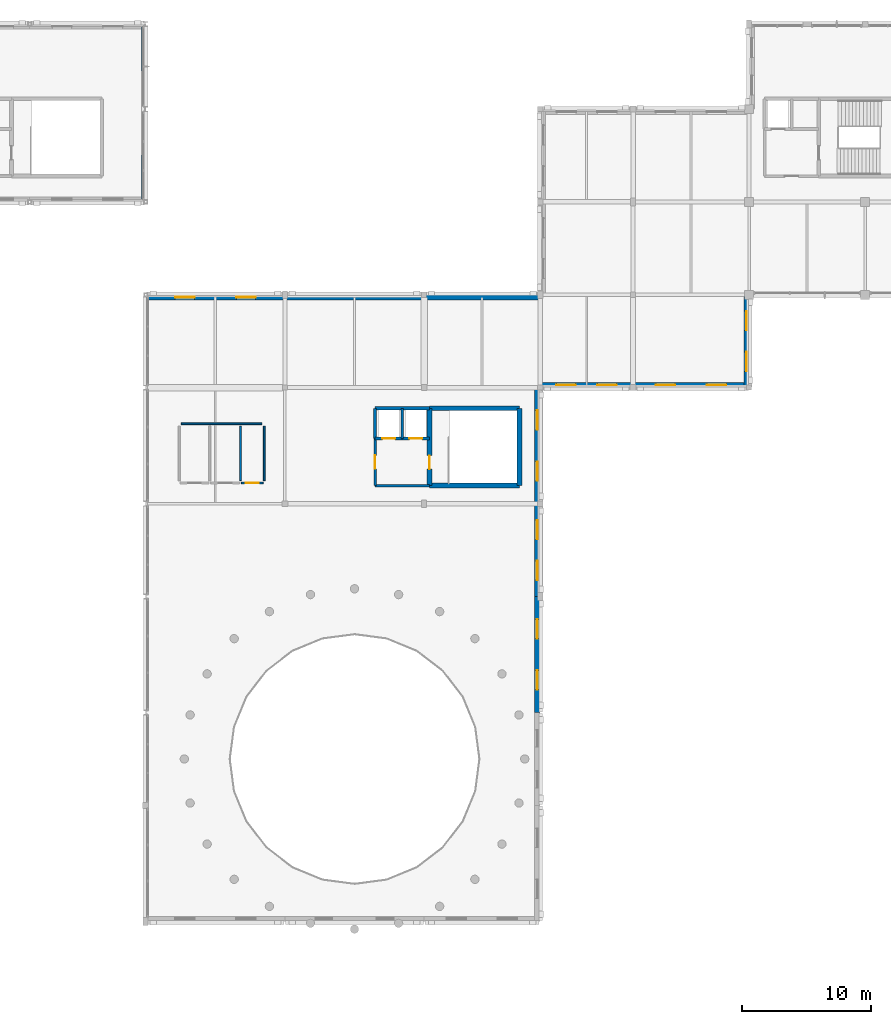
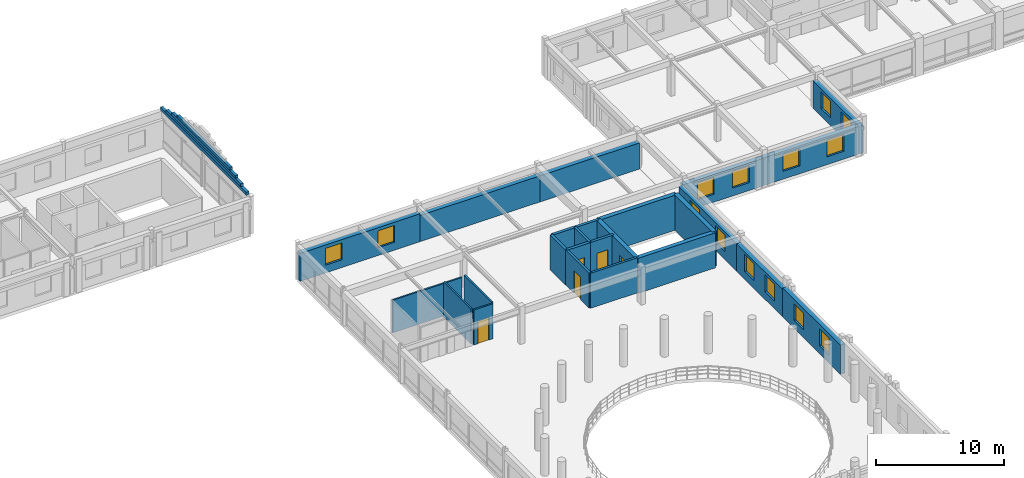
# One storey, part 42 of 52: 28 walls, 14 windows, 5 doors, 19 openings.
"""IFC4 building model written with IfcOpenShell, lengths in metres."""

from ifc_helpers import new_model, si_unit, direction, frame, frame_2d, origin, place, context, subcontext, project, spatial, rectangle, extrude, material, layer, layer_set, type_object, element, fill, save


model = new_model("IFC4")

# Units and contexts
model_context = context("Model", 3, precision=1e-05, world=origin(), true_north=direction((0.0, 1.0)))
body_context = subcontext(model_context, "Body", "Model", "MODEL_VIEW")
ifc_project = project(units=[si_unit("LENGTHUNIT", "METRE"), si_unit("AREAUNIT", "SQUARE_METRE"), si_unit("VOLUMEUNIT", "CUBIC_METRE"), si_unit("PLANEANGLEUNIT", "RADIAN"), si_unit("MASSUNIT", "GRAM", prefix="KILO")], contexts=[model_context])

# Site, building, storey
site_placement = place(None, origin())
site = spatial("IfcSite", under=ifc_project, at=site_placement, CompositionType="ELEMENT")
building_placement = place(site_placement, origin())
building = spatial("IfcBuilding", under=site, at=building_placement, Name="Clarverna Civic Hall", CompositionType="ELEMENT")
storey_placement = place(building_placement, frame((0.0, 0.0, 16.800048828125)))
storey = spatial("IfcBuildingStorey", under=building, at=storey_placement, Name="L04", CompositionType="ELEMENT", Elevation=16.800048828125)

# Wall, openings, windows
ifc_material_1 = material(Name="Montjuic Limestone Ashlar Cladding", Category="masonry")
ifc_layer_1 = layer(ifc_material_1, 0.39990234375)
ifc_layer_set_1 = layer_set([ifc_layer_1], Name="Montjuic Limestone Ashlar Cladding")
wall_type_1 = type_object("IfcWallType", Name="EW-02", PredefinedType="SOLIDWALL", material=ifc_layer_set_1)
wall_1_placement = place(storey_placement, frame((66.625, 94.800048828125, 0.0), z_axis=(0.0, 0.0, 1.0), x_axis=(1.0, 0.0, 0.0)))
wall_1 = element("IfcWall", 1, at=wall_1_placement, inside=storey, type_object=wall_type_1, Name="EW-02-215", PredefinedType="SOLIDWALL", context=body_context, shape_type="SweptSolid", body=[
    extrude(rectangle(XDim=10.77490234375, YDim=0.39990234375, at=frame_2d((5.387451171875, 0.0))), origin(), (0.0, 0.0, 1.0), 2.659912109375),
])
opening_1_placement = place(wall_1_placement, frame((2.26708984375, 0.0, 0.75)))
opening_1 = element("IfcOpeningElement", 2, at=opening_1_placement, cuts=wall_1, Name="Opening WN-14", PredefinedType="OPENING", context=body_context, shape_type="SweptSolid", body=[
    extrude(rectangle(XDim=1.5, YDim=1.60009765625, at=frame_2d((0.75, 0.800048828125))), frame((0.0, 0.2099609375, 0.0), z_axis=(0.0, -1.0, 0.0), x_axis=(1.0, 0.0, 0.0)), (0.0, 0.0, 1.0), 0.419921875),
])
opening_2_placement = place(wall_1_placement, frame((7.008056640625, 0.0, 0.75)))
opening_2 = element("IfcOpeningElement", 3, at=opening_2_placement, cuts=wall_1, Name="Opening WN-14", PredefinedType="OPENING", context=body_context, shape_type="SweptSolid", body=[
    extrude(rectangle(XDim=1.5, YDim=1.60009765625, at=frame_2d((0.75, 0.800048828125))), frame((0.0, 0.2099609375, 0.0), z_axis=(0.0, -1.0, 0.0), x_axis=(1.0, 0.0, 0.0)), (0.0, 0.0, 1.0), 0.419921875),
])
ifc_material_2 = material(Name="Solar-Control Argon Low-E Double Glazing", Category="glass")
window_type = type_object("IfcWindowType", Name="WN-14", PartitioningType="DOUBLE_PANEL_HORIZONTAL", PredefinedType="WINDOW", material=ifc_material_2)
window_1_placement = place(opening_1_placement, origin())
window_1 = element("IfcWindow", 4, at=window_1_placement, inside=storey, type_object=window_type, Name="WN-14-226", OverallHeight=1.60009765625, OverallWidth=1.5, PartitioningType="DOUBLE_PANEL_HORIZONTAL", PredefinedType="WINDOW", context=body_context, shape_type="SweptSolid", body=[
    extrude(rectangle(XDim=1.5, YDim=1.60009765625, at=frame_2d((0.75, 0.800048828125))), frame((0.0, 0.030029296875, 0.0), z_axis=(0.0, -1.0, 0.0), x_axis=(1.0, 0.0, 0.0)), (0.0, 0.0, 1.0), 0.06005859375),
])
fill(opening_1, window_1)
window_2_placement = place(opening_2_placement, origin())
window_2 = element("IfcWindow", 5, at=window_2_placement, inside=storey, type_object=window_type, Name="WN-14-227", OverallHeight=1.60009765625, OverallWidth=1.5, PartitioningType="DOUBLE_PANEL_HORIZONTAL", PredefinedType="WINDOW", context=body_context, shape_type="SweptSolid", body=[
    extrude(rectangle(XDim=1.5, YDim=1.60009765625, at=frame_2d((0.75, 0.800048828125))), frame((0.0, 0.030029296875, 0.0), z_axis=(0.0, -1.0, 0.0), x_axis=(1.0, 0.0, 0.0)), (0.0, 0.0, 1.0), 0.06005859375),
])
fill(opening_2, window_2)

# Walls
wall_2_placement = place(storey_placement, frame((77.39990234375, 94.800048828125, 0.0), z_axis=(0.0, 0.0, 1.0), x_axis=(1.0, 0.0, 0.0)))
element("IfcWall", 6, at=wall_2_placement, inside=storey, type_object=wall_type_1, Name="EW-02-216", PredefinedType="SOLIDWALL", context=body_context, shape_type="SweptSolid", body=[
    extrude(rectangle(XDim=10.800048828125, YDim=0.39990234375, at=frame_2d((5.39990234375, 0.0))), origin(), (0.0, 0.0, 1.0), 2.489990234375),
])
wall_3_placement = place(storey_placement, frame((88.199951171875, 94.800048828125, 0.0), z_axis=(0.0, 0.0, 1.0), x_axis=(1.0, 0.0, 0.0)))
element("IfcWall", 7, at=wall_3_placement, inside=storey, type_object=wall_type_1, Name="EW-02-217", PredefinedType="SOLIDWALL", context=body_context, shape_type="SweptSolid", body=[
    extrude(rectangle(XDim=9.025146484375, YDim=0.39990234375, at=frame_2d((4.5126953125, 0.0))), origin(), (0.0, 0.0, 1.0), 2.489990234375),
])

# Wall, openings, windows
wall_4_placement = place(storey_placement, frame((113.199951171875, 95.0, 0.0), z_axis=(0.0, 0.0, 1.0), x_axis=(0.0, -1.0, 0.0)))
wall_4 = element("IfcWall", 8, at=wall_4_placement, inside=storey, type_object=wall_type_1, Name="EW-02-227", PredefinedType="SOLIDWALL", context=body_context, shape_type="SweptSolid", body=[
    extrude(rectangle(XDim=7.199951171875, YDim=0.39990234375, at=frame_2d((3.60009765625, 0.0))), origin(), (0.0, 0.0, 1.0), 2.639892578125),
])
opening_3_placement = place(wall_4_placement, frame((1.26611328125, 0.0, 0.75)))
opening_3 = element("IfcOpeningElement", 9, at=opening_3_placement, cuts=wall_4, Name="Opening WN-14", PredefinedType="OPENING", context=body_context, shape_type="SweptSolid", body=[
    extrude(rectangle(XDim=1.5, YDim=1.60009765625, at=frame_2d((0.75, 0.800048828125))), frame((0.0, 0.2099609375, 0.0), z_axis=(0.0, -1.0, 0.0), x_axis=(1.0, 0.0, 0.0)), (0.0, 0.0, 1.0), 0.419921875),
])
opening_4_placement = place(wall_4_placement, frame((4.43408203125, 0.0, 0.75)))
opening_4 = element("IfcOpeningElement", 10, at=opening_4_placement, cuts=wall_4, Name="Opening WN-14", PredefinedType="OPENING", context=body_context, shape_type="SweptSolid", body=[
    extrude(rectangle(XDim=1.5, YDim=1.60009765625, at=frame_2d((0.75, 0.800048828125))), frame((0.0, 0.2099609375, 0.0), z_axis=(0.0, -1.0, 0.0), x_axis=(1.0, 0.0, 0.0)), (0.0, 0.0, 1.0), 0.419921875),
])
window_3_placement = place(opening_3_placement, origin())
window_3 = element("IfcWindow", 11, at=window_3_placement, inside=storey, type_object=window_type, Name="WN-14-246", OverallHeight=1.60009765625, OverallWidth=1.5, PartitioningType="DOUBLE_PANEL_HORIZONTAL", PredefinedType="WINDOW", context=body_context, shape_type="SweptSolid", body=[
    extrude(rectangle(XDim=1.5, YDim=1.60009765625, at=frame_2d((0.75, 0.800048828125))), frame((0.0, 0.030029296875, 0.0), z_axis=(0.0, -1.0, 0.0), x_axis=(1.0, 0.0, 0.0)), (0.0, 0.0, 1.0), 0.06005859375),
])
fill(opening_3, window_3)
window_4_placement = place(opening_4_placement, origin())
window_4 = element("IfcWindow", 12, at=window_4_placement, inside=storey, type_object=window_type, Name="WN-14-247", OverallHeight=1.60009765625, OverallWidth=1.5, PartitioningType="DOUBLE_PANEL_HORIZONTAL", PredefinedType="WINDOW", context=body_context, shape_type="SweptSolid", body=[
    extrude(rectangle(XDim=1.5, YDim=1.60009765625, at=frame_2d((0.75, 0.800048828125))), frame((0.0, 0.030029296875, 0.0), z_axis=(0.0, -1.0, 0.0), x_axis=(1.0, 0.0, 0.0)), (0.0, 0.0, 1.0), 0.06005859375),
])
fill(opening_4, window_4)

wall_5_placement = place(storey_placement, frame((113.39990234375, 88.0, 0.0), z_axis=(0.0, 0.0, 1.0), x_axis=(-1.0, 0.0, 0.0)))
wall_5 = element("IfcWall", 13, at=wall_5_placement, inside=storey, type_object=wall_type_1, Name="EW-02-228", PredefinedType="SOLIDWALL", context=body_context, shape_type="SweptSolid", body=[
    extrude(rectangle(XDim=9.0, YDim=0.39990234375, at=frame_2d((4.5, 0.0))), origin(), (0.0, 0.0, 1.0), 2.639892578125),
])
opening_5_placement = place(wall_5_placement, frame((1.77001953125, 0.0, 0.75)))
opening_5 = element("IfcOpeningElement", 14, at=opening_5_placement, cuts=wall_5, Name="Opening WN-14", PredefinedType="OPENING", context=body_context, shape_type="SweptSolid", body=[
    extrude(rectangle(XDim=1.5, YDim=1.60009765625, at=frame_2d((0.75, 0.800048828125))), frame((0.0, 0.2099609375, 0.0), z_axis=(0.0, -1.0, 0.0), x_axis=(1.0, 0.0, 0.0)), (0.0, 0.0, 1.0), 0.419921875),
])
opening_6_placement = place(wall_5_placement, frame((5.72998046875, 0.0, 0.75)))
opening_6 = element("IfcOpeningElement", 15, at=opening_6_placement, cuts=wall_5, Name="Opening WN-14", PredefinedType="OPENING", context=body_context, shape_type="SweptSolid", body=[
    extrude(rectangle(XDim=1.5, YDim=1.60009765625, at=frame_2d((0.75, 0.800048828125))), frame((0.0, 0.2099609375, 0.0), z_axis=(0.0, -1.0, 0.0), x_axis=(1.0, 0.0, 0.0)), (0.0, 0.0, 1.0), 0.419921875),
])
window_5_placement = place(opening_5_placement, origin())
window_5 = element("IfcWindow", 16, at=window_5_placement, inside=storey, type_object=window_type, Name="WN-14-248", OverallHeight=1.60009765625, OverallWidth=1.5, PartitioningType="DOUBLE_PANEL_HORIZONTAL", PredefinedType="WINDOW", context=body_context, shape_type="SweptSolid", body=[
    extrude(rectangle(XDim=1.5, YDim=1.60009765625, at=frame_2d((0.75, 0.800048828125))), frame((0.0, 0.030029296875, 0.0), z_axis=(0.0, -1.0, 0.0), x_axis=(1.0, 0.0, 0.0)), (0.0, 0.0, 1.0), 0.06005859375),
])
fill(opening_5, window_5)
window_6_placement = place(opening_6_placement, origin())
window_6 = element("IfcWindow", 17, at=window_6_placement, inside=storey, type_object=window_type, Name="WN-14-249", OverallHeight=1.60009765625, OverallWidth=1.5, PartitioningType="DOUBLE_PANEL_HORIZONTAL", PredefinedType="WINDOW", context=body_context, shape_type="SweptSolid", body=[
    extrude(rectangle(XDim=1.5, YDim=1.60009765625, at=frame_2d((0.75, 0.800048828125))), frame((0.0, 0.030029296875, 0.0), z_axis=(0.0, -1.0, 0.0), x_axis=(1.0, 0.0, 0.0)), (0.0, 0.0, 1.0), 0.06005859375),
])
fill(opening_6, window_6)

wall_6_placement = place(storey_placement, frame((104.39990234375, 88.0, 0.0), z_axis=(0.0, 0.0, 1.0), x_axis=(-1.0, 0.0, 0.0)))
wall_6 = element("IfcWall", 18, at=wall_6_placement, inside=storey, type_object=wall_type_1, Name="EW-02-229", PredefinedType="SOLIDWALL", context=body_context, shape_type="SweptSolid", body=[
    extrude(rectangle(XDim=7.224853515625, YDim=0.39990234375, at=frame_2d((3.6123046875, 0.0))), origin(), (0.0, 0.0, 1.0), 2.619873046875),
])
opening_7_placement = place(wall_6_placement, frame((1.27294921875, 0.0, 0.75)))
opening_7 = element("IfcOpeningElement", 19, at=opening_7_placement, cuts=wall_6, Name="Opening WN-14", PredefinedType="OPENING", context=body_context, shape_type="SweptSolid", body=[
    extrude(rectangle(XDim=1.5, YDim=1.60009765625, at=frame_2d((0.75, 0.800048828125))), frame((0.0, 0.2099609375, 0.0), z_axis=(0.0, -1.0, 0.0), x_axis=(1.0, 0.0, 0.0)), (0.0, 0.0, 1.0), 0.419921875),
])
opening_8_placement = place(wall_6_placement, frame((4.451904296875, 0.0, 0.75)))
opening_8 = element("IfcOpeningElement", 20, at=opening_8_placement, cuts=wall_6, Name="Opening WN-14", PredefinedType="OPENING", context=body_context, shape_type="SweptSolid", body=[
    extrude(rectangle(XDim=1.5, YDim=1.60009765625, at=frame_2d((0.75, 0.800048828125))), frame((0.0, 0.2099609375, 0.0), z_axis=(0.0, -1.0, 0.0), x_axis=(1.0, 0.0, 0.0)), (0.0, 0.0, 1.0), 0.419921875),
])
window_7_placement = place(opening_7_placement, origin())
window_7 = element("IfcWindow", 21, at=window_7_placement, inside=storey, type_object=window_type, Name="WN-14-250", OverallHeight=1.60009765625, OverallWidth=1.5, PartitioningType="DOUBLE_PANEL_HORIZONTAL", PredefinedType="WINDOW", context=body_context, shape_type="SweptSolid", body=[
    extrude(rectangle(XDim=1.5, YDim=1.60009765625, at=frame_2d((0.75, 0.800048828125))), frame((0.0, 0.030029296875, 0.0), z_axis=(0.0, -1.0, 0.0), x_axis=(1.0, 0.0, 0.0)), (0.0, 0.0, 1.0), 0.06005859375),
])
fill(opening_7, window_7)
window_8_placement = place(opening_8_placement, origin())
window_8 = element("IfcWindow", 22, at=window_8_placement, inside=storey, type_object=window_type, Name="WN-14-251", OverallHeight=1.60009765625, OverallWidth=1.5, PartitioningType="DOUBLE_PANEL_HORIZONTAL", PredefinedType="WINDOW", context=body_context, shape_type="SweptSolid", body=[
    extrude(rectangle(XDim=1.5, YDim=1.60009765625, at=frame_2d((0.75, 0.800048828125))), frame((0.0, 0.030029296875, 0.0), z_axis=(0.0, -1.0, 0.0), x_axis=(1.0, 0.0, 0.0)), (0.0, 0.0, 1.0), 0.06005859375),
])
fill(opening_8, window_8)

wall_7_placement = place(storey_placement, frame((96.97509765625, 87.800048828125, 0.0), z_axis=(0.0, 0.0, 1.0), x_axis=(0.0, -1.0, 0.0)))
wall_7 = element("IfcWall", 23, at=wall_7_placement, inside=storey, type_object=wall_type_1, Name="EW-02-230", PredefinedType="SOLIDWALL", context=body_context, shape_type="SweptSolid", body=[
    extrude(rectangle(XDim=9.0, YDim=0.39990234375, at=frame_2d((4.5, 0.0))), origin(), (0.0, 0.0, 1.0), 2.619873046875),
])
opening_9_placement = place(wall_7_placement, frame((1.77001953125, 0.0, 0.75)))
opening_9 = element("IfcOpeningElement", 24, at=opening_9_placement, cuts=wall_7, Name="Opening WN-14", PredefinedType="OPENING", context=body_context, shape_type="SweptSolid", body=[
    extrude(rectangle(XDim=1.5, YDim=1.60009765625, at=frame_2d((0.75, 0.800048828125))), frame((0.0, 0.2099609375, 0.0), z_axis=(0.0, -1.0, 0.0), x_axis=(1.0, 0.0, 0.0)), (0.0, 0.0, 1.0), 0.419921875),
])
opening_10_placement = place(wall_7_placement, frame((5.72998046875, 0.0, 0.75)))
opening_10 = element("IfcOpeningElement", 25, at=opening_10_placement, cuts=wall_7, Name="Opening WN-14", PredefinedType="OPENING", context=body_context, shape_type="SweptSolid", body=[
    extrude(rectangle(XDim=1.5, YDim=1.60009765625, at=frame_2d((0.75, 0.800048828125))), frame((0.0, 0.2099609375, 0.0), z_axis=(0.0, -1.0, 0.0), x_axis=(1.0, 0.0, 0.0)), (0.0, 0.0, 1.0), 0.419921875),
])
window_9_placement = place(opening_9_placement, origin())
window_9 = element("IfcWindow", 26, at=window_9_placement, inside=storey, type_object=window_type, Name="WN-14-252", OverallHeight=1.60009765625, OverallWidth=1.5, PartitioningType="DOUBLE_PANEL_HORIZONTAL", PredefinedType="WINDOW", context=body_context, shape_type="SweptSolid", body=[
    extrude(rectangle(XDim=1.5, YDim=1.60009765625, at=frame_2d((0.75, 0.800048828125))), frame((0.0, 0.030029296875, 0.0), z_axis=(0.0, -1.0, 0.0), x_axis=(1.0, 0.0, 0.0)), (0.0, 0.0, 1.0), 0.06005859375),
])
fill(opening_9, window_9)
window_10_placement = place(opening_10_placement, origin())
window_10 = element("IfcWindow", 27, at=window_10_placement, inside=storey, type_object=window_type, Name="WN-14-253", OverallHeight=1.60009765625, OverallWidth=1.5, PartitioningType="DOUBLE_PANEL_HORIZONTAL", PredefinedType="WINDOW", context=body_context, shape_type="SweptSolid", body=[
    extrude(rectangle(XDim=1.5, YDim=1.60009765625, at=frame_2d((0.75, 0.800048828125))), frame((0.0, 0.030029296875, 0.0), z_axis=(0.0, -1.0, 0.0), x_axis=(1.0, 0.0, 0.0)), (0.0, 0.0, 1.0), 0.06005859375),
])
fill(opening_10, window_10)

wall_8_placement = place(storey_placement, frame((96.97509765625, 78.800048828125, 0.0), z_axis=(0.0, 0.0, 1.0), x_axis=(0.0, -1.0, 0.0)))
wall_8 = element("IfcWall", 28, at=wall_8_placement, inside=storey, type_object=wall_type_1, Name="EW-02-231", PredefinedType="SOLIDWALL", context=body_context, shape_type="SweptSolid", body=[
    extrude(rectangle(XDim=7.199951171875, YDim=0.39990234375, at=frame_2d((3.60009765625, 0.0))), origin(), (0.0, 0.0, 1.0), 2.619873046875),
])
opening_11_placement = place(wall_8_placement, frame((1.26611328125, 0.0, 0.75)))
opening_11 = element("IfcOpeningElement", 29, at=opening_11_placement, cuts=wall_8, Name="Opening WN-14", PredefinedType="OPENING", context=body_context, shape_type="SweptSolid", body=[
    extrude(rectangle(XDim=1.5, YDim=1.60009765625, at=frame_2d((0.75, 0.800048828125))), frame((0.0, 0.2099609375, 0.0), z_axis=(0.0, -1.0, 0.0), x_axis=(1.0, 0.0, 0.0)), (0.0, 0.0, 1.0), 0.419921875),
])
opening_12_placement = place(wall_8_placement, frame((4.43408203125, 0.0, 0.75)))
opening_12 = element("IfcOpeningElement", 30, at=opening_12_placement, cuts=wall_8, Name="Opening WN-14", PredefinedType="OPENING", context=body_context, shape_type="SweptSolid", body=[
    extrude(rectangle(XDim=1.5, YDim=1.60009765625, at=frame_2d((0.75, 0.800048828125))), frame((0.0, 0.2099609375, 0.0), z_axis=(0.0, -1.0, 0.0), x_axis=(1.0, 0.0, 0.0)), (0.0, 0.0, 1.0), 0.419921875),
])
window_11_placement = place(opening_11_placement, origin())
window_11 = element("IfcWindow", 31, at=window_11_placement, inside=storey, type_object=window_type, Name="WN-14-254", OverallHeight=1.60009765625, OverallWidth=1.5, PartitioningType="DOUBLE_PANEL_HORIZONTAL", PredefinedType="WINDOW", context=body_context, shape_type="SweptSolid", body=[
    extrude(rectangle(XDim=1.5, YDim=1.60009765625, at=frame_2d((0.75, 0.800048828125))), frame((0.0, 0.030029296875, 0.0), z_axis=(0.0, -1.0, 0.0), x_axis=(1.0, 0.0, 0.0)), (0.0, 0.0, 1.0), 0.06005859375),
])
fill(opening_11, window_11)
window_12_placement = place(opening_12_placement, origin())
window_12 = element("IfcWindow", 32, at=window_12_placement, inside=storey, type_object=window_type, Name="WN-14-255", OverallHeight=1.60009765625, OverallWidth=1.5, PartitioningType="DOUBLE_PANEL_HORIZONTAL", PredefinedType="WINDOW", context=body_context, shape_type="SweptSolid", body=[
    extrude(rectangle(XDim=1.5, YDim=1.60009765625, at=frame_2d((0.75, 0.800048828125))), frame((0.0, 0.030029296875, 0.0), z_axis=(0.0, -1.0, 0.0), x_axis=(1.0, 0.0, 0.0)), (0.0, 0.0, 1.0), 0.06005859375),
])
fill(opening_12, window_12)

wall_9_placement = place(storey_placement, frame((96.97509765625, 71.60009765625, 0.0), z_axis=(0.0, 0.0, 1.0), x_axis=(0.0, -1.0, 0.0)))
wall_9 = element("IfcWall", 33, at=wall_9_placement, inside=storey, type_object=wall_type_1, Name="EW-02-232", PredefinedType="SOLIDWALL", context=body_context, shape_type="SweptSolid", body=[
    extrude(rectangle(XDim=9.0, YDim=0.39990234375, at=frame_2d((4.5, 0.0))), origin(), (0.0, 0.0, 1.0), 2.780029296875),
])
opening_13_placement = place(wall_9_placement, frame((1.77001953125, 0.0, 0.75)))
opening_13 = element("IfcOpeningElement", 34, at=opening_13_placement, cuts=wall_9, Name="Opening WN-14", PredefinedType="OPENING", context=body_context, shape_type="SweptSolid", body=[
    extrude(rectangle(XDim=1.5, YDim=1.60009765625, at=frame_2d((0.75, 0.800048828125))), frame((0.0, 0.2099609375, 0.0), z_axis=(0.0, -1.0, 0.0), x_axis=(1.0, 0.0, 0.0)), (0.0, 0.0, 1.0), 0.419921875),
])
opening_14_placement = place(wall_9_placement, frame((5.72998046875, 0.0, 0.75)))
opening_14 = element("IfcOpeningElement", 35, at=opening_14_placement, cuts=wall_9, Name="Opening WN-14", PredefinedType="OPENING", context=body_context, shape_type="SweptSolid", body=[
    extrude(rectangle(XDim=1.5, YDim=1.60009765625, at=frame_2d((0.75, 0.800048828125))), frame((0.0, 0.2099609375, 0.0), z_axis=(0.0, -1.0, 0.0), x_axis=(1.0, 0.0, 0.0)), (0.0, 0.0, 1.0), 0.419921875),
])
window_13_placement = place(opening_13_placement, origin())
window_13 = element("IfcWindow", 36, at=window_13_placement, inside=storey, type_object=window_type, Name="WN-14-256", OverallHeight=1.60009765625, OverallWidth=1.5, PartitioningType="DOUBLE_PANEL_HORIZONTAL", PredefinedType="WINDOW", context=body_context, shape_type="SweptSolid", body=[
    extrude(rectangle(XDim=1.5, YDim=1.60009765625, at=frame_2d((0.75, 0.800048828125))), frame((0.0, 0.030029296875, 0.0), z_axis=(0.0, -1.0, 0.0), x_axis=(1.0, 0.0, 0.0)), (0.0, 0.0, 1.0), 0.06005859375),
])
fill(opening_13, window_13)
window_14_placement = place(opening_14_placement, origin())
window_14 = element("IfcWindow", 37, at=window_14_placement, inside=storey, type_object=window_type, Name="WN-14-257", OverallHeight=1.60009765625, OverallWidth=1.5, PartitioningType="DOUBLE_PANEL_HORIZONTAL", PredefinedType="WINDOW", context=body_context, shape_type="SweptSolid", body=[
    extrude(rectangle(XDim=1.5, YDim=1.60009765625, at=frame_2d((0.75, 0.800048828125))), frame((0.0, 0.030029296875, 0.0), z_axis=(0.0, -1.0, 0.0), x_axis=(1.0, 0.0, 0.0)), (0.0, 0.0, 1.0), 0.06005859375),
])
fill(opening_14, window_14)

# Walls
ifc_material_3 = material(Name="Precast concrete C40/50", Category="concrete")
ifc_layer_2 = layer(ifc_material_3, 0.239990234375)
ifc_layer_set_2 = layer_set([ifc_layer_2], Name="Precast concrete C40/50")
wall_type_2 = type_object("IfcWallType", Name="PR-01", PredefinedType="PARAPET", material=ifc_layer_set_2)
wall_10_placement = place(storey_placement, frame((66.39990234375, 102.421142578125, 3.56005859375), z_axis=(0.0, 0.0, 1.0), x_axis=(0.0, 1.0, 0.0)))
element("IfcWall", 38, at=wall_10_placement, inside=storey, type_object=wall_type_2, Name="PR-01-111", PredefinedType="PARAPET", context=body_context, shape_type="SweptSolid", body=[
    extrude(rectangle(XDim=13.357666015625, YDim=0.239990234375, at=frame_2d((6.6787109375, 0.0))), origin(), (0.0, 0.0, 1.0), 0.3037109375),
])
wall_11_placement = place(storey_placement, frame((66.39990234375, 103.277587890625, 3.86376953125), z_axis=(0.0, 0.0, 1.0), x_axis=(0.0, 1.0, 0.0)))
element("IfcWall", 39, at=wall_11_placement, inside=storey, type_object=wall_type_2, Name="PR-01-112", PredefinedType="PARAPET", context=body_context, shape_type="SweptSolid", body=[
    extrude(rectangle(XDim=11.64501953125, YDim=0.239990234375, at=frame_2d((5.822509765625, 0.0))), origin(), (0.0, 0.0, 1.0), 0.26416015625),
])
wall_12_placement = place(storey_placement, frame((66.39990234375, 104.1337890625, 4.1279296875), z_axis=(0.0, 0.0, 1.0), x_axis=(0.0, 1.0, 0.0)))
element("IfcWall", 40, at=wall_12_placement, inside=storey, type_object=wall_type_2, Name="PR-01-113", PredefinedType="PARAPET", context=body_context, shape_type="SweptSolid", body=[
    extrude(rectangle(XDim=9.9326171875, YDim=0.239990234375, at=frame_2d((4.96630859375, 0.0))), origin(), (0.0, 0.0, 1.0), 0.263916015625),
])
wall_13_placement = place(storey_placement, frame((66.39990234375, 104.989990234375, 4.391845703125), z_axis=(0.0, 0.0, 1.0), x_axis=(0.0, 1.0, 0.0)))
element("IfcWall", 41, at=wall_13_placement, inside=storey, type_object=wall_type_2, Name="PR-01-114", PredefinedType="PARAPET", context=body_context, shape_type="SweptSolid", body=[
    extrude(rectangle(XDim=8.219970703125, YDim=0.239990234375, at=frame_2d((4.10986328125, 0.0))), origin(), (0.0, 0.0, 1.0), 0.263916015625),
])
ifc_material_4 = material(Name="Ceramic Brick and Plaster Wet-Room Partition", Category="masonry")
ifc_layer_3 = layer(ifc_material_4, 0.139892578125)
ifc_layer_set_3 = layer_set([ifc_layer_3], Name="Ceramic Brick and Plaster Wet-Room Partition")
wall_type_3 = type_object("IfcWallType", Name="PW-02", PredefinedType="PARTITIONING", material=ifc_layer_set_3)
wall_14_placement = place(storey_placement, frame((69.3798828125, 85.0, 0.0), z_axis=(0.0, 0.0, 1.0), x_axis=(1.0, 0.0, 0.0)))
element("IfcWall", 42, at=wall_14_placement, inside=storey, type_object=wall_type_3, Name="PW-02-105", PredefinedType="PARTITIONING", context=body_context, shape_type="SweptSolid", body=[
    extrude(rectangle(XDim=6.240234375, YDim=0.139892578125, at=frame_2d((3.1201171875, 0.0))), origin(), (0.0, 0.0, 1.0), 3.099853515625),
])
for number, where, z_axis, x_axis, name in (
    (43, (75.800048828125, 80.580078125, 0.0), (0.0, 0.0, 1.0), (0.0, 1.0, 0.0), "PW-02-107"),
    (44, (73.951904296875, 80.580078125, 0.0), (0.0, 0.0, 1.0), (0.0, 1.0, 0.0), "PW-02-109"),
):
    element("IfcWall", number, at=place(storey_placement, frame(where, z_axis=z_axis, x_axis=x_axis)), inside=storey, type_object=wall_type_3, Name=name, PredefinedType="PARTITIONING", context=body_context, shape_type="SweptSolid", body=[
        extrude(rectangle(XDim=4.239990234375, YDim=0.139892578125, at=frame_2d((2.1201171875, 0.0))), origin(), (0.0, 0.0, 1.0), 3.33984375),
    ])

# Wall, opening, door
wall_15_placement = place(storey_placement, frame((74.031982421875, 80.39990234375, 0.0), z_axis=(0.0, 0.0, 1.0), x_axis=(1.0, 0.0, 0.0)))
wall_15 = element("IfcWall", 45, at=wall_15_placement, inside=storey, type_object=wall_type_3, Name="PW-02-112", PredefinedType="PARTITIONING", context=body_context, shape_type="SweptSolid", body=[
    extrude(rectangle(XDim=1.68798828125, YDim=0.139892578125, at=frame_2d((0.843994140625, 0.0))), origin(), (0.0, 0.0, 1.0), 3.33984375),
])
opening_15_placement = place(wall_15_placement, frame((0.343994140625, 0.0, 0.0)))
opening_15 = element("IfcOpeningElement", 46, at=opening_15_placement, cuts=wall_15, Name="Opening ID-02", PredefinedType="OPENING", context=body_context, shape_type="SweptSolid", body=[
    extrude(rectangle(XDim=1.0, YDim=2.14990234375, at=frame_2d((0.5, 1.074951171875))), frame((0.0, 0.079833984375, 0.0), z_axis=(0.0, -1.0, 0.0), x_axis=(1.0, 0.0, 0.0)), (0.0, 0.0, 1.0), 0.159912109375),
])
ifc_material_5 = material(Name="European Oak Veneered Acoustic Timber Door", Category="wood")
door_type_1 = type_object("IfcDoorType", Name="ID-02", OperationType="NOTDEFINED", PredefinedType="DOOR", material=ifc_material_5)
door_1_placement = place(opening_15_placement, origin())
door_1 = element("IfcDoor", 47, at=door_1_placement, inside=storey, type_object=door_type_1, Name="ID-02-042", OperationType="SINGLE_SWING_RIGHT", OverallHeight=2.14990234375, OverallWidth=1.0, PredefinedType="DOOR", context=body_context, shape_type="SweptSolid", body=[
    extrude(rectangle(XDim=1.0, YDim=2.14990234375, at=frame_2d((0.5, 1.074951171875))), frame((0.0, 0.02490234375, 0.0), z_axis=(0.0, -1.0, 0.0), x_axis=(1.0, 0.0, 0.0)), (0.0, 0.0, 1.0), 0.050048828125),
])
fill(opening_15, door_1)

ifc_material_6 = material(Name="Acoustic Gypsum Plasterboard on Twin Frame", Category="gypsum")
ifc_layer_4 = layer(ifc_material_6, 0.18994140625)
ifc_layer_set_4 = layer_set([ifc_layer_4], Name="Acoustic Gypsum Plasterboard on Twin Frame")
wall_type_4 = type_object("IfcWallType", Name="PW-06", PredefinedType="PARTITIONING", material=ifc_layer_set_4)
wall_16_placement = place(storey_placement, frame((84.39990234375, 80.199951171875, 0.0), z_axis=(0.0, 0.0, 1.0), x_axis=(0.0, 1.0, 0.0)))
wall_16 = element("IfcWall", 48, at=wall_16_placement, inside=storey, type_object=wall_type_4, Name="PW-06-047", PredefinedType="PARTITIONING", context=body_context, shape_type="SweptSolid", body=[
    extrude(rectangle(XDim=3.650146484375, YDim=0.18994140625, at=frame_2d((1.8251953125, 0.0))), origin(), (0.0, 0.0, 1.0), 3.33984375),
])
opening_16_placement = place(wall_16_placement, frame((1.300048828125, 0.0, 0.0)))
opening_16 = element("IfcOpeningElement", 49, at=opening_16_placement, cuts=wall_16, Name="Opening FD-02", PredefinedType="OPENING", context=body_context, shape_type="SweptSolid", body=[
    extrude(rectangle(XDim=1.050048828125, YDim=2.14990234375, at=frame_2d((0.52490234375, 1.074951171875))), frame((0.0, 0.10498046875, 0.0), z_axis=(0.0, -1.0, 0.0), x_axis=(1.0, 0.0, 0.0)), (0.0, 0.0, 1.0), 0.2099609375),
])
ifc_material_7 = material(Name="Acoustic Timber-Faced Fire Door", Category="wood")
door_type_2 = type_object("IfcDoorType", Name="FD-02", OperationType="NOTDEFINED", PredefinedType="DOOR", material=ifc_material_7)
door_2_placement = place(opening_16_placement, origin())
door_2 = element("IfcDoor", 50, at=door_2_placement, inside=storey, type_object=door_type_2, Name="FD-02-045", OperationType="SINGLE_SWING_RIGHT", OverallHeight=2.14990234375, OverallWidth=1.050048828125, PredefinedType="DOOR", context=body_context, shape_type="SweptSolid", body=[
    extrude(rectangle(XDim=1.050048828125, YDim=2.14990234375, at=frame_2d((0.52490234375, 1.074951171875))), frame((0.0, 0.02490234375, 0.0), z_axis=(0.0, -1.0, 0.0), x_axis=(1.0, 0.0, 0.0)), (0.0, 0.0, 1.0), 0.050048828125),
])
fill(opening_16, door_2)

# Wall
wall_17_placement = place(storey_placement, frame((84.39990234375, 80.199951171875, 0.0), z_axis=(0.0, 0.0, 1.0), x_axis=(1.0, 0.0, 0.0)))
element("IfcWall", 51, at=wall_17_placement, inside=storey, type_object=wall_type_4, Name="PW-06-048", PredefinedType="PARTITIONING", context=body_context, shape_type="SweptSolid", body=[
    extrude(rectangle(XDim=4.2001953125, YDim=0.18994140625, at=frame_2d((2.10009765625, 0.0))), origin(), (0.0, 0.0, 1.0), 3.33984375),
])

# Wall, opening, door
ifc_material_8 = material(Name="Concrete C35/45", Category="concrete")
ifc_layer_5 = layer(ifc_material_8, 0.3798828125)
ifc_layer_set_5 = layer_set([ifc_layer_5], Name="Concrete C35/45")
wall_type_5 = type_object("IfcWallType", Name="SW-01", PredefinedType="SHEAR", material=ifc_layer_set_5)
wall_18_placement = place(storey_placement, frame((88.60009765625, 80.199951171875, 0.0), z_axis=(0.0, 0.0, 1.0), x_axis=(0.0, 1.0, 0.0)))
wall_18 = element("IfcWall", 52, at=wall_18_placement, inside=storey, type_object=wall_type_5, Name="SW-01-208", PredefinedType="SHEAR", context=body_context, shape_type="SweptSolid", body=[
    extrude(rectangle(XDim=6.0, YDim=0.3798828125, at=frame_2d((3.0, 0.0))), origin(), (0.0, 0.0, 1.0), 3.33984375),
])
opening_17_placement = place(wall_18_placement, frame((1.27490234375, 0.0, 0.0)))
opening_17 = element("IfcOpeningElement", 53, at=opening_17_placement, cuts=wall_18, Name="Opening FD-02", PredefinedType="OPENING", context=body_context, shape_type="SweptSolid", body=[
    extrude(rectangle(XDim=1.050048828125, YDim=2.14990234375, at=frame_2d((0.52490234375, 1.074951171875))), frame((0.0, 0.199951171875, 0.0), z_axis=(0.0, -1.0, 0.0), x_axis=(1.0, 0.0, 0.0)), (0.0, 0.0, 1.0), 0.39990234375),
])
door_3_placement = place(opening_17_placement, origin())
door_3 = element("IfcDoor", 54, at=door_3_placement, inside=storey, type_object=door_type_2, Name="FD-02-044", OperationType="SINGLE_SWING_LEFT", OverallHeight=2.14990234375, OverallWidth=1.050048828125, PredefinedType="DOOR", context=body_context, shape_type="SweptSolid", body=[
    extrude(rectangle(XDim=1.050048828125, YDim=2.14990234375, at=frame_2d((0.52490234375, 1.074951171875))), frame((0.0, 0.02490234375, 0.0), z_axis=(0.0, -1.0, 0.0), x_axis=(1.0, 0.0, 0.0)), (0.0, 0.0, 1.0), 0.050048828125),
])
fill(opening_17, door_3)

# Walls
wall_19_placement = place(storey_placement, frame((95.60009765625, 80.199951171875, 0.0), z_axis=(0.0, 0.0, 1.0), x_axis=(0.0, 1.0, 0.0)))
element("IfcWall", 55, at=wall_19_placement, inside=storey, type_object=wall_type_5, Name="SW-01-209", PredefinedType="SHEAR", context=body_context, shape_type="SweptSolid", body=[
    extrude(rectangle(XDim=6.0, YDim=0.3798828125, at=frame_2d((3.0, 0.0))), origin(), (0.0, 0.0, 1.0), 3.33984375),
])
for number, where, z_axis, x_axis, name in (
    (56, (88.60009765625, 80.199951171875, 0.0), (0.0, 0.0, 1.0), (1.0, 0.0, 0.0), "SW-01-210"),
    (57, (88.60009765625, 86.199951171875, 0.0), (0.0, 0.0, 1.0), (1.0, 0.0, 0.0), "SW-01-211"),
):
    element("IfcWall", number, at=place(storey_placement, frame(where, z_axis=z_axis, x_axis=x_axis)), inside=storey, type_object=wall_type_5, Name=name, PredefinedType="SHEAR", context=body_context, shape_type="SweptSolid", body=[
        extrude(rectangle(XDim=7.0, YDim=0.3798828125, at=frame_2d((3.5, 0.0))), origin(), (0.0, 0.0, 1.0), 3.33984375),
    ])
wall_20_placement = place(storey_placement, frame((84.39990234375, 86.199951171875, 0.0), z_axis=(0.0, 0.0, 1.0), x_axis=(1.0, 0.0, 0.0)))
element("IfcWall", 58, at=wall_20_placement, inside=storey, type_object=wall_type_5, Name="SW-01-212", PredefinedType="SHEAR", context=body_context, shape_type="SweptSolid", body=[
    extrude(rectangle(XDim=4.2001953125, YDim=0.239990234375, at=frame_2d((2.10009765625, 0.0))), origin(), (0.0, 0.0, 1.0), 3.33984375),
])
wall_21_placement = place(storey_placement, frame((84.39990234375, 83.85009765625, 0.0), z_axis=(0.0, 0.0, 1.0), x_axis=(0.0, 1.0, 0.0)))
element("IfcWall", 59, at=wall_21_placement, inside=storey, type_object=wall_type_5, Name="SW-01-213", PredefinedType="SHEAR", context=body_context, shape_type="SweptSolid", body=[
    extrude(rectangle(XDim=2.349853515625, YDim=0.239990234375, at=frame_2d((1.1748046875, 0.0))), origin(), (0.0, 0.0, 1.0), 3.33984375),
])
wall_22_placement = place(storey_placement, frame((86.5, 83.85009765625, 0.0), z_axis=(0.0, 0.0, 1.0), x_axis=(0.0, 1.0, 0.0)))
element("IfcWall", 60, at=wall_22_placement, inside=storey, type_object=wall_type_5, Name="SW-01-214", PredefinedType="SHEAR", context=body_context, shape_type="SweptSolid", body=[
    extrude(rectangle(XDim=2.349853515625, YDim=0.199951171875, at=frame_2d((1.1748046875, 0.0))), origin(), (0.0, 0.0, 1.0), 3.33984375),
])

# Wall, opening, door
wall_23_placement = place(storey_placement, frame((84.39990234375, 83.85009765625, 0.0), z_axis=(0.0, 0.0, 1.0), x_axis=(1.0, 0.0, 0.0)))
wall_23 = element("IfcWall", 61, at=wall_23_placement, inside=storey, type_object=wall_type_5, Name="SW-01-215", PredefinedType="SHEAR", context=body_context, shape_type="SweptSolid", body=[
    extrude(rectangle(XDim=2.10009765625, YDim=0.239990234375, at=frame_2d((1.050048828125, 0.0))), origin(), (0.0, 0.0, 1.0), 3.33984375),
])
opening_18_placement = place(wall_23_placement, frame((0.550048828125, 0.0, 0.0)))
opening_18 = element("IfcOpeningElement", 62, at=opening_18_placement, cuts=wall_23, Name="Opening LD-01", PredefinedType="OPENING", context=body_context, shape_type="SweptSolid", body=[
    extrude(rectangle(XDim=1.0, YDim=2.10009765625, at=frame_2d((0.5, 1.050048828125))), frame((0.0, 0.1298828125, 0.0), z_axis=(0.0, -1.0, 0.0), x_axis=(1.0, 0.0, 0.0)), (0.0, 0.0, 1.0), 0.260009765625),
])
ifc_material_9 = material(Name="Brushed Bronze Stainless Lift Landing Door")
door_type_3 = type_object("IfcDoorType", Name="LD-01", OperationType="SLIDING_TO_LEFT", PredefinedType="DOOR", material=ifc_material_9)
door_4_placement = place(opening_18_placement, origin())
door_4 = element("IfcDoor", 63, at=door_4_placement, inside=storey, type_object=door_type_3, Name="LD-01-047", OperationType="SLIDING_TO_LEFT", OverallHeight=2.10009765625, OverallWidth=1.0, PredefinedType="DOOR", context=body_context, shape_type="SweptSolid", body=[
    extrude(rectangle(XDim=1.0, YDim=2.10009765625, at=frame_2d((0.5, 1.050048828125))), frame((0.0, 0.02490234375, 0.0), z_axis=(0.0, -1.0, 0.0), x_axis=(1.0, 0.0, 0.0)), (0.0, 0.0, 1.0), 0.050048828125),
])
fill(opening_18, door_4)

wall_24_placement = place(storey_placement, frame((86.5, 83.85009765625, 0.0), z_axis=(0.0, 0.0, 1.0), x_axis=(1.0, 0.0, 0.0)))
wall_24 = element("IfcWall", 64, at=wall_24_placement, inside=storey, type_object=wall_type_5, Name="SW-01-216", PredefinedType="SHEAR", context=body_context, shape_type="SweptSolid", body=[
    extrude(rectangle(XDim=2.10009765625, YDim=0.239990234375, at=frame_2d((1.050048828125, 0.0))), origin(), (0.0, 0.0, 1.0), 3.33984375),
])
opening_19_placement = place(wall_24_placement, frame((0.550048828125, 0.0, 0.0)))
opening_19 = element("IfcOpeningElement", 65, at=opening_19_placement, cuts=wall_24, Name="Opening LD-01", PredefinedType="OPENING", context=body_context, shape_type="SweptSolid", body=[
    extrude(rectangle(XDim=1.0, YDim=2.10009765625, at=frame_2d((0.5, 1.050048828125))), frame((0.0, 0.1298828125, 0.0), z_axis=(0.0, -1.0, 0.0), x_axis=(1.0, 0.0, 0.0)), (0.0, 0.0, 1.0), 0.260009765625),
])
door_5_placement = place(opening_19_placement, origin())
door_5 = element("IfcDoor", 66, at=door_5_placement, inside=storey, type_object=door_type_3, Name="LD-01-048", OperationType="SLIDING_TO_LEFT", OverallHeight=2.10009765625, OverallWidth=1.0, PredefinedType="DOOR", context=body_context, shape_type="SweptSolid", body=[
    extrude(rectangle(XDim=1.0, YDim=2.10009765625, at=frame_2d((0.5, 1.050048828125))), frame((0.0, 0.02490234375, 0.0), z_axis=(0.0, -1.0, 0.0), x_axis=(1.0, 0.0, 0.0)), (0.0, 0.0, 1.0), 0.050048828125),
])
fill(opening_19, door_5)

save(model, "model.ifc")
